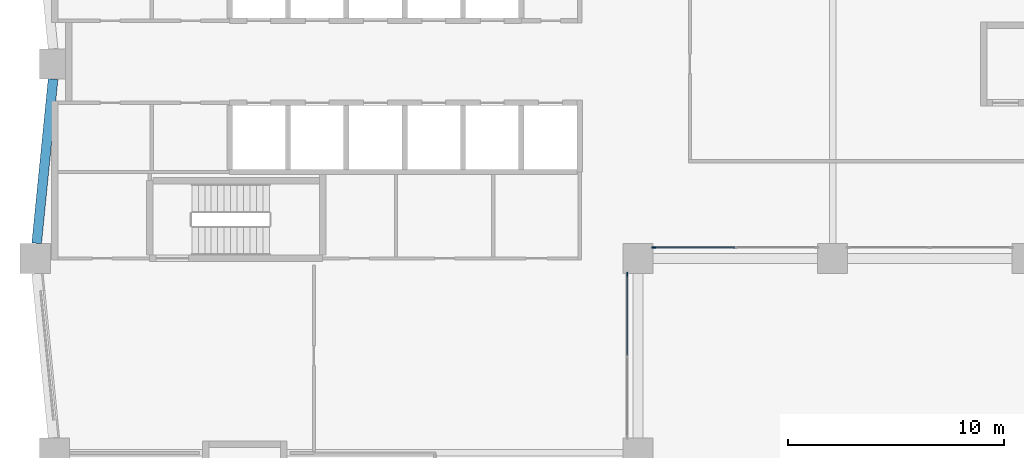
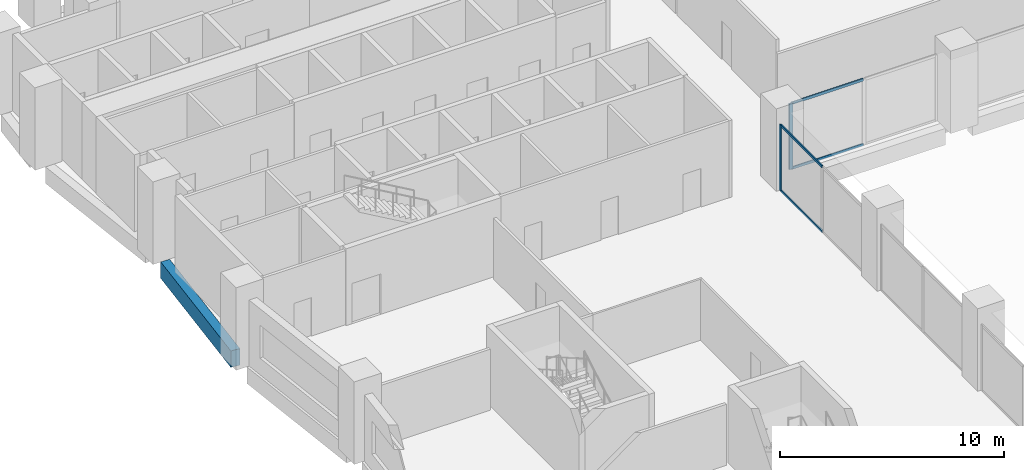
# One storey, part 4 of 18: 6 members, 1 beam, 2 elements without a shape of their own.
"""IFC4 building model written with IfcOpenShell, lengths in metres."""

import ifcopenshell
import ifcopenshell.guid

model = None  # the IFC model being written
_history = None  # IfcOwnerHistory: only IFC2X3 demands one
_inside = {}  # id of a spatial element -> (the spatial element, [elements in it])
_under = {}  # id of a project, library or spatial element -> (it, [spatial elements below it])
_declared = {}  # id of a project -> (the project, [libraries it declares])
_typed = {}  # id of a type object -> (the type object, [elements of that type])
_made_of = {}  # id of a material, layer set ... -> (it, [elements and type objects made of it])


def new_model(schema):
    """Start an empty IFC model of exactly this schema.

    Asked for "IFC4X3", IfcOpenShell would pick the latest addendum, in which some entities
    have other attributes; the version numbers below select the first issue.
    IFC2X3 requires an IfcOwnerHistory on every rooted entity: one is made here for all.
    """
    global model, _history
    if schema == "IFC4X3":
        model = ifcopenshell.file(schema_version=(4, 3, 0, 0))
    else:
        model = ifcopenshell.file(schema=schema)
    _inside.clear()
    _under.clear()
    _declared.clear()
    _typed.clear()
    _made_of.clear()
    _history = None
    if model.schema == "IFC2X3":
        org = make("IfcOrganization", Name="unknown")
        user = make(
            "IfcPersonAndOrganization",
            ThePerson=make("IfcPerson", FamilyName="unknown"),
            TheOrganization=org,
        )
        app = make(
            "IfcApplication",
            ApplicationDeveloper=org,
            Version="unknown",
            ApplicationFullName="unknown",
            ApplicationIdentifier="unknown",
        )
        _history = make(
            "IfcOwnerHistory",
            OwningUser=user,
            OwningApplication=app,
            ChangeAction="ADDED",
            CreationDate=0,
        )
    return model


def make(cls, **values):
    """One entity of the class cls with the attributes given. An attribute that is None is left unset."""
    return model.create_entity(
        cls, **{name: value for name, value in values.items() if value is not None}
    )


def rooted(cls, **values):
    """An entity with a GlobalId (a new one), such as an element, a storey or a relation."""
    return make(cls, GlobalId=ifcopenshell.guid.new(), OwnerHistory=_history, **values)


def si_unit(unit_type, name, prefix=None):
    """IfcSIUnit, for example si_unit("LENGTHUNIT", "METRE", prefix="MILLI")."""
    return make("IfcSIUnit", UnitType=unit_type, Prefix=prefix, Name=name)


def assignment(units):
    """IfcUnitAssignment: the units of a project."""
    return None if units is None else make("IfcUnitAssignment", Units=units)


def point(xyz):
    """IfcCartesianPoint."""
    return None if xyz is None else make("IfcCartesianPoint", Coordinates=xyz)


def direction(xyz):
    """IfcDirection."""
    return None if xyz is None else make("IfcDirection", DirectionRatios=xyz)


def frame(location, z_axis=None, x_axis=None):
    """IfcAxis2Placement3D, a coordinate frame: its origin and axes. An axis left out is left unset."""
    return make(
        "IfcAxis2Placement3D",
        Location=point(location),
        Axis=direction(z_axis),
        RefDirection=direction(x_axis),
    )


def frame_2d(location, x_axis=None):
    """IfcAxis2Placement2D, a coordinate frame in the plane: its origin and x axis."""
    return make(
        "IfcAxis2Placement2D", Location=point(location), RefDirection=direction(x_axis)
    )


def origin():
    """The frame at (0, 0, 0) with its axes left unset."""
    return frame((0.0, 0.0, 0.0))


def origin_2d():
    """The frame at (0, 0) in the plane with its x axis left unset."""
    return frame_2d((0.0, 0.0))


def place(relative_to, where):
    """IfcLocalPlacement: puts the frame where relative to a parent placement (None: the world)."""
    return make(
        "IfcLocalPlacement", PlacementRelTo=relative_to, RelativePlacement=where
    )


def context(
    kind, dimensions, precision=None, world=None, true_north=None, identifier=None
):
    """IfcGeometricRepresentationContext, for example the 3D "Model" context."""
    return make(
        "IfcGeometricRepresentationContext",
        ContextIdentifier=identifier,
        ContextType=kind,
        CoordinateSpaceDimension=dimensions,
        Precision=precision,
        WorldCoordinateSystem=world,
        TrueNorth=true_north,
    )


def subcontext(parent, identifier, kind, view, scale=None):
    """IfcGeometricRepresentationSubContext, for example "Body" below "Model"."""
    return make(
        "IfcGeometricRepresentationSubContext",
        ContextIdentifier=identifier,
        ContextType=kind,
        ParentContext=parent,
        TargetScale=scale,
        TargetView=view,
    )


def project(units=None, contexts=None):
    """IfcProject with its units and contexts."""
    return rooted(
        "IfcProject",
        Name="project",
        RepresentationContexts=contexts,
        UnitsInContext=assignment(units),
    )


def spatial(cls, under=None, at=None, **own):
    """A site, building, storey or space (cls), placed at a placement, below another one or the project."""
    s = rooted(cls, ObjectPlacement=at, **own)
    if under is not None:
        _under.setdefault(under.id(), (under, []))[1].append(s)
    return s


def profile(cls, at=None, kind="AREA", **sizes):
    """A parametric profile (cls). Its sizes go by their IFC names, for example OverallWidth=200.0."""
    return make(cls, ProfileType=kind, Position=at, **sizes)


def rectangle(**sizes):
    """IfcRectangleProfileDef."""
    return profile("IfcRectangleProfileDef", **sizes)


def extrude(swept, where, along, depth):
    """IfcExtrudedAreaSolid: the profile swept, set in the frame where, extruded along a direction by depth."""
    return make(
        "IfcExtrudedAreaSolid",
        SweptArea=swept,
        Position=where,
        ExtrudedDirection=direction(along),
        Depth=depth,
    )


def shape(context_of_items, identifier, shape_type, items):
    """IfcShapeRepresentation: the items that make up one representation, for example the "Body"."""
    return make(
        "IfcShapeRepresentation",
        ContextOfItems=context_of_items,
        RepresentationIdentifier=identifier,
        RepresentationType=shape_type,
        Items=items,
    )


def material(Name=None, Category=None):
    """IfcMaterial."""
    return make("IfcMaterial", Name=Name, Category=Category)


def material_profile(
    of_material, cross_section, Name=None, Category=None, Priority=None
):
    """IfcMaterialProfile: a cross section and its material."""
    return make(
        "IfcMaterialProfile",
        Name=Name,
        Material=of_material,
        Profile=cross_section,
        Priority=Priority,
        Category=Category,
    )


def profile_set(profiles, Name=None, composite=None):
    """IfcMaterialProfileSet."""
    return make(
        "IfcMaterialProfileSet",
        Name=Name,
        MaterialProfiles=profiles,
        CompositeProfile=composite,
    )


def made_of(thing, what):
    """Note that an element or type object is made of a material, layer set ...; save() writes the relation."""
    if what is not None:
        _made_of.setdefault(what.id(), (what, []))[1].append(thing)
    return thing


def type_object(cls, material=None, **own):
    """A type object (cls), such as IfcWallType, which elements share."""
    return made_of(rooted(cls, **own), material)


def element(
    cls,
    number,
    at=None,
    inside=None,
    cuts=None,
    type_object=None,
    material=None,
    context=None,
    identifier="Body",
    shape_type=None,
    held_by="IfcProductDefinitionShape",
    body=None,
    shapes=None,
    **own,
):
    """One element of the class cls, such as IfcWall. Its Tag is "e" and its number.

    at: its placement. inside: the storey or other place that contains it. cuts: it is an
    opening in that element (IfcRelVoidsElement). A single representation is given by context,
    identifier, shape_type and body (its items); several are given by shapes. held_by: the class
    of the entity that holds the representations. save() writes the other relations.
    """
    e = rooted(cls, Tag="e%d" % number, ObjectPlacement=at, **own)
    if body is not None:
        shapes = [shape(context, identifier, shape_type, body)]
    if shapes is not None:
        e.Representation = make(held_by, Representations=shapes)
    if inside is not None:
        _inside.setdefault(inside.id(), (inside, []))[1].append(e)
    if cuts is not None:
        rooted(
            "IfcRelVoidsElement", RelatingBuildingElement=cuts, RelatedOpeningElement=e
        )
    if type_object is not None:
        _typed.setdefault(type_object.id(), (type_object, []))[1].append(e)
    return made_of(e, material)


def aggregate(whole, parts):
    """IfcRelAggregates: a whole, such as a stair, and the parts it consists of."""
    return rooted("IfcRelAggregates", RelatingObject=whole, RelatedObjects=parts)


def save(model, path):
    """Write the relations noted so far, then the file.

    IfcRelAggregates (storeys below a building ...), IfcRelContainedInSpatialStructure (elements
    in a storey), IfcRelDefinesByType, IfcRelAssociatesMaterial and IfcRelDeclares: one each for
    every whole, place, type object, material and project.
    """
    for whole, parts in _under.values():
        aggregate(whole, parts)
    for where, things in _inside.values():
        rooted(
            "IfcRelContainedInSpatialStructure",
            RelatedElements=things,
            RelatingStructure=where,
        )
    for kind, things in _typed.values():
        rooted("IfcRelDefinesByType", RelatedObjects=things, RelatingType=kind)
    for what, things in _made_of.values():
        rooted("IfcRelAssociatesMaterial", RelatedObjects=things, RelatingMaterial=what)
    for by, libraries in _declared.values():
        rooted("IfcRelDeclares", RelatingContext=by, RelatedDefinitions=libraries)
    model.write(path)


model = new_model("IFC4")

# Units and contexts
model_context = context("Model", 3, precision=1e-05, world=origin(), true_north=direction((0.0, 1.0)))
body_context = subcontext(model_context, "Body", "Model", "MODEL_VIEW")
ifc_project = project(units=[si_unit("LENGTHUNIT", "METRE"), si_unit("AREAUNIT", "SQUARE_METRE"), si_unit("VOLUMEUNIT", "CUBIC_METRE"), si_unit("PLANEANGLEUNIT", "RADIAN"), si_unit("MASSUNIT", "GRAM", prefix="KILO")], contexts=[model_context])

# Site, building, storey
site_placement = place(None, origin())
site = spatial("IfcSite", under=ifc_project, at=site_placement, CompositionType="ELEMENT")
building_placement = place(site_placement, origin())
building = spatial("IfcBuilding", under=site, at=building_placement, Name="Brondeck Convention Tower", CompositionType="ELEMENT")
storey_placement = place(building_placement, frame((0.0, 0.0, 27.5)))
storey = spatial("IfcBuildingStorey", under=building, at=storey_placement, Name="L04", CompositionType="ELEMENT", Elevation=27.5)

# Curtain wall, member
ifc_material_1 = material(Name="Aluminium, bronze anodised", Category="aluminium")
curtain_wall_type = type_object("IfcCurtainWallType", Name="Podium hall curtain wall", PredefinedType="NOTDEFINED", material=ifc_material_1)
curtain_wall_1_placement = place(storey_placement, origin())
curtain_wall_1 = element("IfcCurtainWall", 1, at=curtain_wall_1_placement, inside=storey, type_object=curtain_wall_type, Name="ENV-CW2-L04-B-E-01", PredefinedType="NOTDEFINED")
ifc_material_profile_1 = material_profile(ifc_material_1, rectangle(XDim=0.06005859375, YDim=0.179931640625, at=origin_2d()), Name="CW2 mullion")
ifc_profile_set_1 = profile_set([ifc_material_profile_1], Name="Aluminium, bronze anodised")
member_type_1 = type_object("IfcMemberType", Name="CW2 mullion", PredefinedType="MULLION", material=ifc_profile_set_1)
member_1_placement = place(storey_placement, frame((26.5, 35.27001953125, 0.0), z_axis=(0.0, 0.0, 1.0), x_axis=(1.0, 0.0, 0.0)))
member_1 = element("IfcMember", 2, at=member_1_placement, type_object=member_type_1, Name="CW2 mullion 1", PredefinedType="MULLION", context=body_context, shape_type="SweptSolid", body=[
    extrude(rectangle(XDim=0.06005859375, YDim=0.179931640625, at=origin_2d()), origin(), (0.0, 0.0, 1.0), 3.60009765625),
])

curtain_wall_2_placement = place(storey_placement, origin())
curtain_wall_2 = element("IfcCurtainWall", 3, at=curtain_wall_2_placement, inside=storey, type_object=curtain_wall_type, Name="ENV-CW2-L04-A-S-01", PredefinedType="NOTDEFINED")
member_2_placement = place(storey_placement, frame((27.72998046875, 36.5, 0.0), z_axis=(0.0, 0.0, 1.0), x_axis=(0.0, -1.0, 0.0)))
member_2 = element("IfcMember", 4, at=member_2_placement, type_object=member_type_1, Name="CW2 mullion 3", PredefinedType="MULLION", context=body_context, shape_type="SweptSolid", body=[
    extrude(rectangle(XDim=0.06005859375, YDim=0.179931640625, at=origin_2d()), origin(), (0.0, 0.0, 1.0), 3.60009765625),
])

# Member
ifc_material_profile_2 = material_profile(ifc_material_1, rectangle(XDim=0.06005859375, YDim=0.139892578125, at=origin_2d()), Name="CW2 transom")
ifc_profile_set_2 = profile_set([ifc_material_profile_2], Name="Aluminium, bronze anodised")
member_type_2 = type_object("IfcMemberType", Name="CW2 transom", PredefinedType="USERDEFINED", material=ifc_profile_set_2)
member_3_placement = place(storey_placement, frame((26.5, 35.239990234375, 0.030029296875), z_axis=(0.0, -1.0, 0.0), x_axis=(1.0, 0.0, 0.0)))
member_3 = element("IfcMember", 5, at=member_3_placement, type_object=member_type_2, Name="CW2 transom 1.1", ObjectType="TRANSOM", PredefinedType="USERDEFINED", context=body_context, shape_type="SweptSolid", body=[
    extrude(rectangle(XDim=0.06005859375, YDim=0.139892578125, at=origin_2d()), origin(), (0.0, 0.0, 1.0), 3.7099609375),
])

member_4_placement = place(storey_placement, frame((26.5, 35.239990234375, 3.570068359375), z_axis=(0.0, -1.0, 0.0), x_axis=(1.0, 0.0, 0.0)))
member_4 = element("IfcMember", 6, at=member_4_placement, type_object=member_type_2, Name="CW2 transom 1.2", ObjectType="TRANSOM", PredefinedType="USERDEFINED", context=body_context, shape_type="SweptSolid", body=[
    extrude(rectangle(XDim=0.06005859375, YDim=0.139892578125, at=origin_2d()), origin(), (0.0, 0.0, 1.0), 3.7099609375),
])

aggregate(curtain_wall_1, [member_1, member_3, member_4])

member_5_placement = place(storey_placement, frame((31.469970703125, 36.5, 0.030029296875), z_axis=(-1.0, 0.0, 0.0), x_axis=(0.0, -1.0, 0.0)))
member_5 = element("IfcMember", 7, at=member_5_placement, type_object=member_type_2, Name="CW2 transom 2.1", ObjectType="TRANSOM", PredefinedType="USERDEFINED", context=body_context, shape_type="SweptSolid", body=[
    extrude(rectangle(XDim=0.06005859375, YDim=0.139892578125, at=origin_2d()), origin(), (0.0, 0.0, 1.0), 3.7099609375),
])

member_6_placement = place(storey_placement, frame((31.469970703125, 36.5, 3.570068359375), z_axis=(-1.0, 0.0, 0.0), x_axis=(0.0, -1.0, 0.0)))
member_6 = element("IfcMember", 8, at=member_6_placement, type_object=member_type_2, Name="CW2 transom 2.2", ObjectType="TRANSOM", PredefinedType="USERDEFINED", context=body_context, shape_type="SweptSolid", body=[
    extrude(rectangle(XDim=0.06005859375, YDim=0.139892578125, at=origin_2d()), origin(), (0.0, 0.0, 1.0), 3.7099609375),
])

aggregate(curtain_wall_2, [member_2, member_5, member_6])

# Beam
ifc_material_2 = material(Name="Concrete C80/95", Category="concrete")
ifc_material_profile_3 = material_profile(ifc_material_2, rectangle(XDim=0.449951171875, YDim=0.89990234375, at=origin_2d()), Name="Edge beam 450x900 Concrete C80/95")
ifc_profile_set_3 = profile_set([ifc_material_profile_3], Name="Concrete C80/95")
beam_type = type_object("IfcBeamType", Name="Edge beam 450x900 Concrete C80/95", PredefinedType="BEAM", material=ifc_profile_set_3)
beam_placement = place(storey_placement, frame((-0.070068359375, 44.300048828125, -0.449951171875), z_axis=(-0.099503719021, -0.99503719021, 0.0), x_axis=(0.99503719021, -0.099503719021, 0.0)))
element("IfcBeam", 9, at=beam_placement, inside=storey, type_object=beam_type, Name="STR-SP-L04-032", PredefinedType="BEAM", context=body_context, shape_type="SweptSolid", body=[
    extrude(rectangle(XDim=0.449951171875, YDim=0.89990234375, at=origin_2d()), origin(), (0.0, 0.0, 1.0), 7.637939453125),
])

save(model, "model.ifc")
